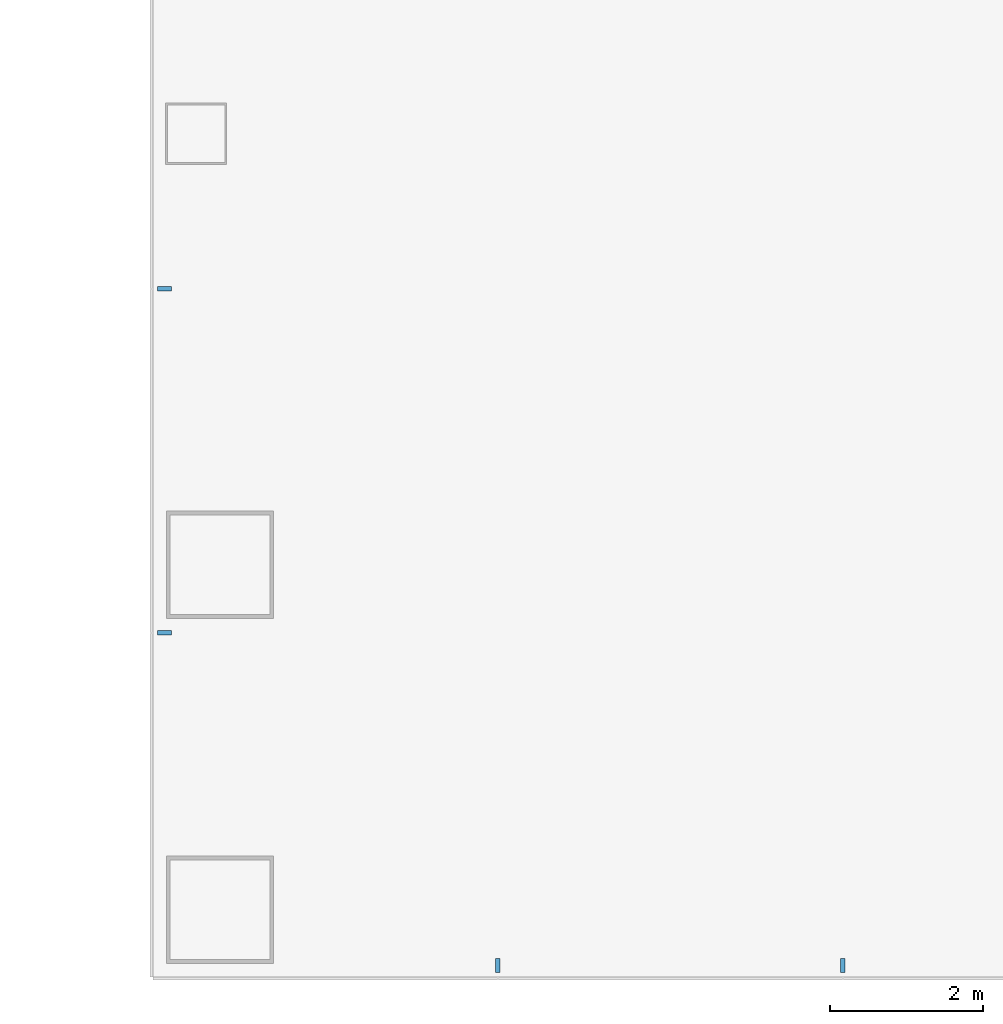
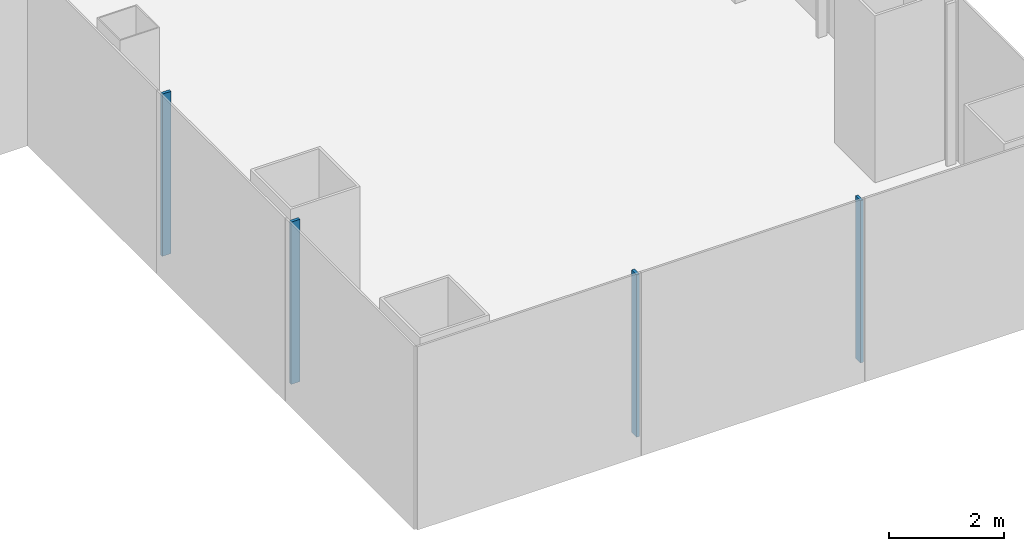
# One storey, part 3 of 22: 4 members, 2 elements without a shape of their own.
"""IFC4 building model written with IfcOpenShell, lengths in metres."""

from ifc_helpers import new_model, si_unit, direction, frame, origin, origin_2d, place, context, subcontext, project, spatial, rectangle, extrude, material, layer, layer_set, material_profile, profile_set, type_object, element, aggregate, save


model = new_model("IFC4")

# Units and contexts
model_context = context("Model", 3, precision=1e-05, world=origin(), true_north=direction((0.0, 1.0)))
body_context = subcontext(model_context, "Body", "Model", "MODEL_VIEW")
ifc_project = project(units=[si_unit("LENGTHUNIT", "METRE"), si_unit("AREAUNIT", "SQUARE_METRE"), si_unit("VOLUMEUNIT", "CUBIC_METRE"), si_unit("PLANEANGLEUNIT", "RADIAN"), si_unit("MASSUNIT", "GRAM", prefix="KILO")], contexts=[model_context])

# Site, building, storey
site_placement = place(None, origin())
site = spatial("IfcSite", under=ifc_project, at=site_placement, CompositionType="ELEMENT")
building_placement = place(site_placement, origin())
building = spatial("IfcBuilding", under=site, at=building_placement, Name="Shamsa Quay Exchange Towers", CompositionType="ELEMENT")
storey_placement = place(building_placement, frame((0.0, 0.0, 69.300048828125)))
storey = spatial("IfcBuildingStorey", under=building, at=storey_placement, Name="L15", CompositionType="ELEMENT", Elevation=69.300048828125)

# Curtain wall, members
ifc_material = material(Name="Aluminium EN AW-6063 T6, black anodised", Category="aluminium")
ifc_layer = layer(ifc_material, 0.280029296875)
ifc_layer_set = layer_set([ifc_layer], Name="CW-1 UNITISED VISION GLASS")
curtain_wall_type = type_object("IfcCurtainWallType", Name="CW-1 UNITISED VISION GLASS", PredefinedType="NOTDEFINED", material=ifc_layer_set)
curtain_wall_1_placement = place(storey_placement, origin())
curtain_wall_1 = element("IfcCurtainWall", 1, at=curtain_wall_1_placement, inside=storey, type_object=curtain_wall_type, Name="CW1 T1-FLK-V-W L15", PredefinedType="NOTDEFINED")
ifc_material_profile = material_profile(ifc_material, rectangle(XDim=0.179931640625, YDim=0.06005859375, at=origin_2d()), Name="MU60x180")
ifc_profile_set = profile_set([ifc_material_profile], Name="Aluminium EN AW-6063 T6, black anodised")
member_type = type_object("IfcMemberType", Name="CW1 MULLION 60x180", PredefinedType="MULLION", material=ifc_profile_set)
member_1_placement = place(storey_placement, frame((-40.35009765625, -15.775390625, 0.0)))
member_1 = element("IfcMember", 2, at=member_1_placement, type_object=member_type, Name="CW1 mullion", PredefinedType="MULLION", context=body_context, shape_type="SweptSolid", body=[
    extrude(rectangle(XDim=0.179931640625, YDim=0.06005859375, at=origin_2d()), origin(), (0.0, 0.0, 1.0), 3.449951171875),
])
member_2_placement = place(storey_placement, frame((-40.35009765625, -20.2626953125, 0.0)))
member_2 = element("IfcMember", 3, at=member_2_placement, type_object=member_type, Name="CW1 mullion", PredefinedType="MULLION", context=body_context, shape_type="SweptSolid", body=[
    extrude(rectangle(XDim=0.179931640625, YDim=0.06005859375, at=origin_2d()), origin(), (0.0, 0.0, 1.0), 3.449951171875),
])
aggregate(curtain_wall_1, [member_1, member_2])

curtain_wall_2_placement = place(storey_placement, origin())
curtain_wall_2 = element("IfcCurtainWall", 4, at=curtain_wall_2_placement, inside=storey, type_object=curtain_wall_type, Name="CW1 T1-END-V- L15", PredefinedType="NOTDEFINED")
member_3_placement = place(storey_placement, frame((-36.0, -24.60009765625, 0.0), z_axis=(0.0, 0.0, 1.0), x_axis=(0.0, 1.0, 0.0)))
member_3 = element("IfcMember", 5, at=member_3_placement, type_object=member_type, Name="CW1 mullion", PredefinedType="MULLION", context=body_context, shape_type="SweptSolid", body=[
    extrude(rectangle(XDim=0.179931640625, YDim=0.06005859375, at=origin_2d()), origin(), (0.0, 0.0, 1.0), 3.449951171875),
])
member_4_placement = place(storey_placement, frame((-31.5, -24.60009765625, 0.0), z_axis=(0.0, 0.0, 1.0), x_axis=(0.0, 1.0, 0.0)))
member_4 = element("IfcMember", 6, at=member_4_placement, type_object=member_type, Name="CW1 mullion", PredefinedType="MULLION", context=body_context, shape_type="SweptSolid", body=[
    extrude(rectangle(XDim=0.179931640625, YDim=0.06005859375, at=origin_2d()), origin(), (0.0, 0.0, 1.0), 3.449951171875),
])
aggregate(curtain_wall_2, [member_3, member_4])

save(model, "model.ifc")
